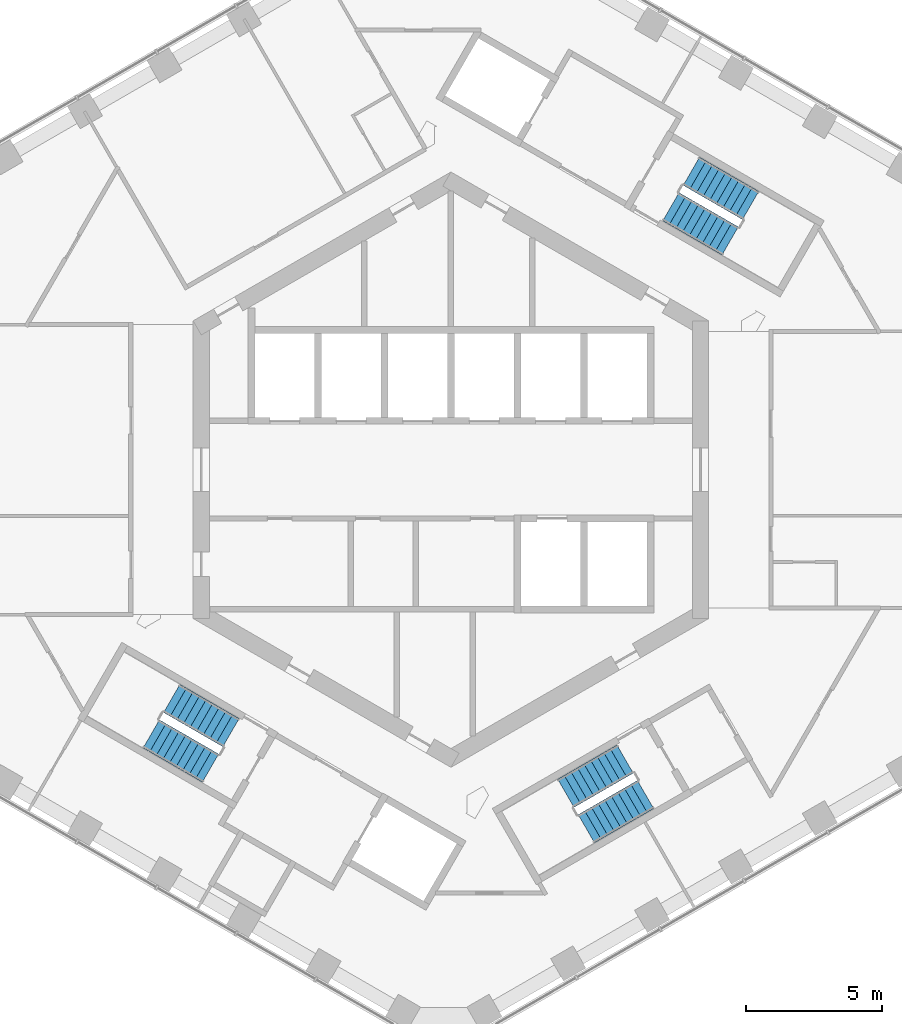
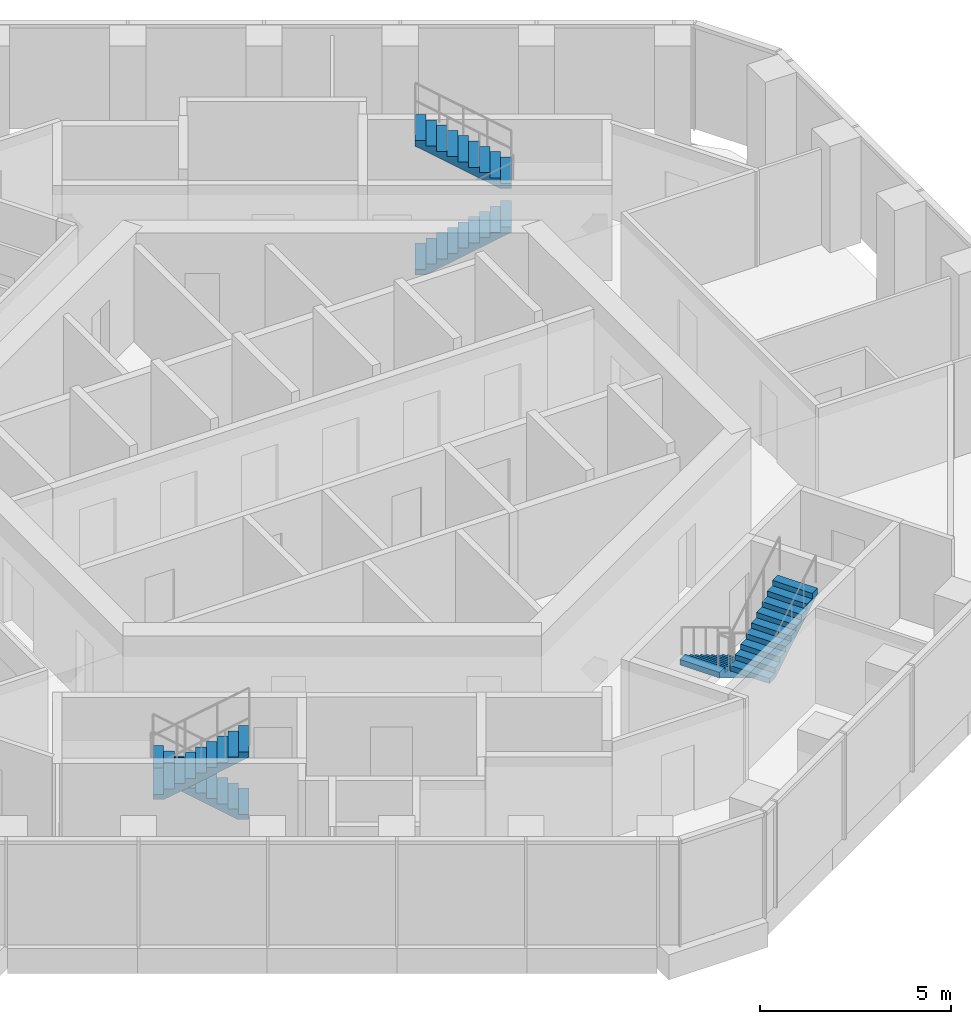
# One storey, part 17 of 18: 6 stair flights, 3 elements without a shape of their own.
"""IFC4 building model written with IfcOpenShell, lengths in metres."""

from ifc_helpers import new_model, si_unit, direction, frame, origin, place, context, subcontext, project, spatial, triangles, material, type_object, element, aggregate, save


model = new_model("IFC4")

# Units and contexts
model_context = context("Model", 3, precision=1e-05, world=origin(), true_north=direction((0.0, 1.0)))
body_context = subcontext(model_context, "Body", "Model", "MODEL_VIEW")
ifc_project = project(units=[si_unit("LENGTHUNIT", "METRE"), si_unit("AREAUNIT", "SQUARE_METRE"), si_unit("VOLUMEUNIT", "CUBIC_METRE"), si_unit("PLANEANGLEUNIT", "RADIAN"), si_unit("MASSUNIT", "GRAM", prefix="KILO")], contexts=[model_context])

# Site, building, storey
site_placement = place(None, origin())
site = spatial("IfcSite", under=ifc_project, at=site_placement, CompositionType="ELEMENT")
building_placement = place(site_placement, origin())
building = spatial("IfcBuilding", under=site, at=building_placement, Name="Ayvan Gate Tower", CompositionType="ELEMENT")
storey_placement = place(building_placement, frame((0.0, 0.0, 166.300048828125)))
storey = spatial("IfcBuildingStorey", under=building, at=storey_placement, Name="L44", CompositionType="ELEMENT", Elevation=166.300048828125)

# Stair, stair flights
ifc_material = material(Name="Concrete C40/50", Category="concrete")
stair_type = type_object("IfcStairType", Name="ST-EXIT", PredefinedType="HALF_TURN_STAIR", material=ifc_material)
stair_1_placement = place(storey_placement, origin())
stair_1 = element("IfcStair", 1, at=stair_1_placement, inside=storey, type_object=stair_type, Name="L44 Exit Stair S1", PredefinedType="HALF_TURN_STAIR")
stair_flight_type = type_object("IfcStairFlightType", Name="SFL-EXIT", PredefinedType="STRAIGHT", material=ifc_material)
stair_flight_1_placement = place(storey_placement, frame((8.106201171875, 9.690185546875, 0.0), z_axis=(0.0, 0.0, 1.0), x_axis=(0.866025403784, -0.5, 0.0)))
stair_flight_1 = element("IfcStairFlight", 2, at=stair_flight_1_placement, type_object=stair_flight_type, Name="STS1 flight 1", NumberOfRisers=10, NumberOfTreads=9, PredefinedType="STRAIGHT", RiserHeight=0.17, TreadLength=0.28, context=body_context, shape_type="Tessellation", body=[
    triangles([(0.288841, -0.599976, 0.0), (2.5205, -0.599976, 1.354936), (2.5205, -0.599976, 1.53), (2.24, -0.599976, 1.53), (2.24, -0.599976, 1.36), (1.96, -0.599976, 1.36), (1.96, -0.599976, 1.19), (1.68, -0.599976, 1.19), (1.68, -0.599976, 1.02), (1.4, -0.599976, 1.02), (1.4, -0.599976, 0.85), (1.12, -0.599976, 0.85), (1.12, -0.599976, 0.68), (0.84, -0.599976, 0.68), (0.84, -0.599976, 0.51), (0.56, -0.599976, 0.51), (0.56, -0.599976, 0.34), (0.28, -0.599976, 0.34), (0.28, -0.599976, 0.17), (-0.0005, -0.599976, 0.17), (-0.0005, -0.599976, 0.0), (0.288841, 0.0, 0.0), (2.5205, 0.0, 1.354936), (2.5205, 0.0, 1.53), (2.24, 0.0, 1.53), (2.24, 0.0, 1.36), (1.96, 0.0, 1.36), (1.96, 0.0, 1.19), (1.68, 0.0, 1.19), (1.68, 0.0, 1.02), (1.4, 0.0, 1.02), (1.4, 0.0, 0.85), (1.12, 0.0, 0.85), (1.12, 0.0, 0.68), (0.84, 0.0, 0.68), (0.84, 0.0, 0.51), (0.56, 0.0, 0.51), (0.56, 0.0, 0.34), (0.28, 0.0, 0.34), (0.28, 0.0, 0.17), (-0.0005, 0.0, 0.17), (-0.0005, 0.0, 0.0), (0.288841, 0.599976, 0.0), (2.5205, 0.599976, 1.354936), (2.5205, 0.599976, 1.53), (2.24, 0.599976, 1.53), (2.24, 0.599976, 1.36), (1.96, 0.599976, 1.36), (1.96, 0.599976, 1.19), (1.68, 0.599976, 1.19), (1.68, 0.599976, 1.02), (1.4, 0.599976, 1.02), (1.4, 0.599976, 0.85), (1.12, 0.599976, 0.85), (1.12, 0.599976, 0.68), (0.84, 0.599976, 0.68), (0.84, 0.599976, 0.51), (0.56, 0.599976, 0.51), (0.56, 0.599976, 0.34), (0.28, 0.599976, 0.34), (0.28, 0.599976, 0.17), (-0.0005, 0.599976, 0.17), (-0.0005, 0.599976, 0.0)], [[21, 1, 2], [63, 44, 43], [2, 3, 4], [44, 46, 45], [2, 4, 5], [44, 47, 46], [2, 5, 6], [44, 48, 47], [2, 6, 7], [44, 49, 48], [7, 8, 9], [49, 51, 50], [2, 7, 9], [44, 51, 49], [9, 10, 11], [51, 53, 52], [2, 9, 11], [44, 53, 51], [11, 12, 13], [53, 55, 54], [2, 11, 13], [44, 55, 53], [13, 14, 15], [55, 57, 56], [2, 13, 15], [44, 57, 55], [15, 16, 17], [57, 59, 58], [2, 15, 17], [44, 59, 57], [17, 18, 19], [59, 61, 60], [2, 17, 19], [44, 61, 59], [21, 2, 19], [63, 61, 44], [19, 20, 21], [61, 63, 62], [1, 22, 23], [1, 23, 2], [43, 23, 22], [43, 44, 23], [2, 23, 24], [2, 24, 3], [44, 24, 23], [44, 45, 24], [3, 24, 25], [3, 25, 4], [45, 25, 24], [45, 46, 25], [4, 25, 26], [4, 26, 5], [46, 26, 25], [46, 47, 26], [5, 26, 27], [5, 27, 6], [47, 27, 26], [47, 48, 27], [6, 27, 28], [6, 28, 7], [48, 28, 27], [48, 49, 28], [7, 28, 29], [7, 29, 8], [49, 29, 28], [49, 50, 29], [8, 29, 30], [8, 30, 9], [50, 30, 29], [50, 51, 30], [9, 30, 31], [9, 31, 10], [51, 31, 30], [51, 52, 31], [10, 31, 32], [10, 32, 11], [52, 32, 31], [52, 53, 32], [11, 32, 33], [11, 33, 12], [53, 33, 32], [53, 54, 33], [12, 33, 34], [12, 34, 13], [54, 34, 33], [54, 55, 34], [13, 34, 35], [13, 35, 14], [55, 35, 34], [55, 56, 35], [14, 35, 36], [14, 36, 15], [56, 36, 35], [56, 57, 36], [15, 36, 37], [15, 37, 16], [57, 37, 36], [57, 58, 37], [16, 37, 38], [16, 38, 17], [58, 38, 37], [58, 59, 38], [17, 38, 39], [17, 39, 18], [59, 39, 38], [59, 60, 39], [18, 39, 40], [18, 40, 19], [60, 40, 39], [60, 61, 40], [19, 40, 41], [19, 41, 20], [61, 41, 40], [61, 62, 41], [20, 41, 42], [20, 42, 21], [62, 42, 41], [62, 63, 42], [21, 42, 22], [21, 22, 1], [63, 22, 42], [63, 43, 22]], closed=True),
])
stair_flight_2_placement = place(storey_placement, frame((11.04345703125, 9.73779296875, 1.699951171875), z_axis=(0.0, 0.0, 1.0), x_axis=(-0.866025403784, 0.5, 0.0)))
stair_flight_2 = element("IfcStairFlight", 3, at=stair_flight_2_placement, type_object=stair_flight_type, Name="STS1 flight 2", NumberOfRisers=10, NumberOfTreads=9, PredefinedType="STRAIGHT", RiserHeight=0.17, TreadLength=0.28, context=body_context, shape_type="Tessellation", body=[
    triangles([(0.288841, -0.599976, 0.0), (2.5205, -0.599976, 1.354936), (2.5205, -0.599976, 1.53), (2.24, -0.599976, 1.53), (2.24, -0.599976, 1.36), (1.96, -0.599976, 1.36), (1.96, -0.599976, 1.19), (1.68, -0.599976, 1.19), (1.68, -0.599976, 1.02), (1.4, -0.599976, 1.02), (1.4, -0.599976, 0.85), (1.12, -0.599976, 0.85), (1.12, -0.599976, 0.68), (0.84, -0.599976, 0.68), (0.84, -0.599976, 0.51), (0.56, -0.599976, 0.51), (0.56, -0.599976, 0.34), (0.28, -0.599976, 0.34), (0.28, -0.599976, 0.17), (-0.0005, -0.599976, 0.17), (-0.0005, -0.599976, 0.0), (0.288841, 0.0, 0.0), (2.5205, 0.0, 1.354936), (2.5205, 0.0, 1.53), (2.24, 0.0, 1.53), (2.24, 0.0, 1.36), (1.96, 0.0, 1.36), (1.96, 0.0, 1.19), (1.68, 0.0, 1.19), (1.68, 0.0, 1.02), (1.4, 0.0, 1.02), (1.4, 0.0, 0.85), (1.12, 0.0, 0.85), (1.12, 0.0, 0.68), (0.84, 0.0, 0.68), (0.84, 0.0, 0.51), (0.56, 0.0, 0.51), (0.56, 0.0, 0.34), (0.28, 0.0, 0.34), (0.28, 0.0, 0.17), (-0.0005, 0.0, 0.17), (-0.0005, 0.0, 0.0), (0.288841, 0.599976, 0.0), (2.5205, 0.599976, 1.354936), (2.5205, 0.599976, 1.53), (2.24, 0.599976, 1.53), (2.24, 0.599976, 1.36), (1.96, 0.599976, 1.36), (1.96, 0.599976, 1.19), (1.68, 0.599976, 1.19), (1.68, 0.599976, 1.02), (1.4, 0.599976, 1.02), (1.4, 0.599976, 0.85), (1.12, 0.599976, 0.85), (1.12, 0.599976, 0.68), (0.84, 0.599976, 0.68), (0.84, 0.599976, 0.51), (0.56, 0.599976, 0.51), (0.56, 0.599976, 0.34), (0.28, 0.599976, 0.34), (0.28, 0.599976, 0.17), (-0.0005, 0.599976, 0.17), (-0.0005, 0.599976, 0.0)], [[21, 1, 2], [63, 44, 43], [2, 3, 4], [44, 46, 45], [2, 4, 5], [44, 47, 46], [2, 5, 6], [44, 48, 47], [2, 6, 7], [44, 49, 48], [7, 8, 9], [49, 51, 50], [2, 7, 9], [44, 51, 49], [9, 10, 11], [51, 53, 52], [2, 9, 11], [44, 53, 51], [11, 12, 13], [53, 55, 54], [2, 11, 13], [44, 55, 53], [13, 14, 15], [55, 57, 56], [2, 13, 15], [44, 57, 55], [15, 16, 17], [57, 59, 58], [2, 15, 17], [44, 59, 57], [17, 18, 19], [59, 61, 60], [2, 17, 19], [44, 61, 59], [21, 2, 19], [63, 61, 44], [19, 20, 21], [61, 63, 62], [1, 22, 23], [1, 23, 2], [43, 23, 22], [43, 44, 23], [2, 23, 24], [2, 24, 3], [44, 24, 23], [44, 45, 24], [3, 24, 25], [3, 25, 4], [45, 25, 24], [45, 46, 25], [4, 25, 26], [4, 26, 5], [46, 26, 25], [46, 47, 26], [5, 26, 27], [5, 27, 6], [47, 27, 26], [47, 48, 27], [6, 27, 28], [6, 28, 7], [48, 28, 27], [48, 49, 28], [7, 28, 29], [7, 29, 8], [49, 29, 28], [49, 50, 29], [8, 29, 30], [8, 30, 9], [50, 30, 29], [50, 51, 30], [9, 30, 31], [9, 31, 10], [51, 31, 30], [51, 52, 31], [10, 31, 32], [10, 32, 11], [52, 32, 31], [52, 53, 32], [11, 32, 33], [11, 33, 12], [53, 33, 32], [53, 54, 33], [12, 33, 34], [12, 34, 13], [54, 34, 33], [54, 55, 34], [13, 34, 35], [13, 35, 14], [55, 35, 34], [55, 56, 35], [14, 35, 36], [14, 36, 15], [56, 36, 35], [56, 57, 36], [15, 36, 37], [15, 37, 16], [57, 37, 36], [57, 58, 37], [16, 37, 38], [16, 38, 17], [58, 38, 37], [58, 59, 38], [17, 38, 39], [17, 39, 18], [59, 39, 38], [59, 60, 39], [18, 39, 40], [18, 40, 19], [60, 40, 39], [60, 61, 40], [19, 40, 41], [19, 41, 20], [61, 41, 40], [61, 62, 41], [20, 41, 42], [20, 42, 21], [62, 42, 41], [62, 63, 42], [21, 42, 22], [21, 22, 1], [63, 22, 42], [63, 43, 22]], closed=True),
])
aggregate(stair_1, [stair_flight_1, stair_flight_2])

stair_2_placement = place(storey_placement, origin())
stair_2 = element("IfcStair", 4, at=stair_2_placement, inside=storey, type_object=stair_type, Name="L44 Exit Stair S2", PredefinedType="HALF_TURN_STAIR")
stair_flight_3_placement = place(storey_placement, frame((-8.106201171875, -9.690185546875, 0.0), z_axis=(0.0, 0.0, 1.0), x_axis=(-0.866025403784, 0.5, 0.0)))
stair_flight_3 = element("IfcStairFlight", 5, at=stair_flight_3_placement, type_object=stair_flight_type, Name="STS2 flight 1", NumberOfRisers=10, NumberOfTreads=9, PredefinedType="STRAIGHT", RiserHeight=0.17, TreadLength=0.28, context=body_context, shape_type="Tessellation", body=[
    triangles([(0.288841, -0.599976, 0.0), (2.5205, -0.599976, 1.354936), (2.5205, -0.599976, 1.53), (2.24, -0.599976, 1.53), (2.24, -0.599976, 1.36), (1.96, -0.599976, 1.36), (1.96, -0.599976, 1.19), (1.68, -0.599976, 1.19), (1.68, -0.599976, 1.02), (1.4, -0.599976, 1.02), (1.4, -0.599976, 0.85), (1.12, -0.599976, 0.85), (1.12, -0.599976, 0.68), (0.84, -0.599976, 0.68), (0.84, -0.599976, 0.51), (0.56, -0.599976, 0.51), (0.56, -0.599976, 0.34), (0.28, -0.599976, 0.34), (0.28, -0.599976, 0.17), (-0.0005, -0.599976, 0.17), (-0.0005, -0.599976, 0.0), (0.288841, 0.0, 0.0), (2.5205, 0.0, 1.354936), (2.5205, 0.0, 1.53), (2.24, 0.0, 1.53), (2.24, 0.0, 1.36), (1.96, 0.0, 1.36), (1.96, 0.0, 1.19), (1.68, 0.0, 1.19), (1.68, 0.0, 1.02), (1.4, 0.0, 1.02), (1.4, 0.0, 0.85), (1.12, 0.0, 0.85), (1.12, 0.0, 0.68), (0.84, 0.0, 0.68), (0.84, 0.0, 0.51), (0.56, 0.0, 0.51), (0.56, 0.0, 0.34), (0.28, 0.0, 0.34), (0.28, 0.0, 0.17), (-0.0005, 0.0, 0.17), (-0.0005, 0.0, 0.0), (0.288841, 0.599976, 0.0), (2.5205, 0.599976, 1.354936), (2.5205, 0.599976, 1.53), (2.24, 0.599976, 1.53), (2.24, 0.599976, 1.36), (1.96, 0.599976, 1.36), (1.96, 0.599976, 1.19), (1.68, 0.599976, 1.19), (1.68, 0.599976, 1.02), (1.4, 0.599976, 1.02), (1.4, 0.599976, 0.85), (1.12, 0.599976, 0.85), (1.12, 0.599976, 0.68), (0.84, 0.599976, 0.68), (0.84, 0.599976, 0.51), (0.56, 0.599976, 0.51), (0.56, 0.599976, 0.34), (0.28, 0.599976, 0.34), (0.28, 0.599976, 0.17), (-0.0005, 0.599976, 0.17), (-0.0005, 0.599976, 0.0)], [[21, 1, 2], [63, 44, 43], [2, 3, 4], [44, 46, 45], [2, 4, 5], [44, 47, 46], [2, 5, 6], [44, 48, 47], [2, 6, 7], [44, 49, 48], [7, 8, 9], [49, 51, 50], [2, 7, 9], [44, 51, 49], [9, 10, 11], [51, 53, 52], [2, 9, 11], [44, 53, 51], [11, 12, 13], [53, 55, 54], [2, 11, 13], [44, 55, 53], [13, 14, 15], [55, 57, 56], [2, 13, 15], [44, 57, 55], [15, 16, 17], [57, 59, 58], [2, 15, 17], [44, 59, 57], [17, 18, 19], [59, 61, 60], [2, 17, 19], [44, 61, 59], [21, 2, 19], [63, 61, 44], [19, 20, 21], [61, 63, 62], [1, 22, 23], [1, 23, 2], [43, 23, 22], [43, 44, 23], [2, 23, 24], [2, 24, 3], [44, 24, 23], [44, 45, 24], [3, 24, 25], [3, 25, 4], [45, 25, 24], [45, 46, 25], [4, 25, 26], [4, 26, 5], [46, 26, 25], [46, 47, 26], [5, 26, 27], [5, 27, 6], [47, 27, 26], [47, 48, 27], [6, 27, 28], [6, 28, 7], [48, 28, 27], [48, 49, 28], [7, 28, 29], [7, 29, 8], [49, 29, 28], [49, 50, 29], [8, 29, 30], [8, 30, 9], [50, 30, 29], [50, 51, 30], [9, 30, 31], [9, 31, 10], [51, 31, 30], [51, 52, 31], [10, 31, 32], [10, 32, 11], [52, 32, 31], [52, 53, 32], [11, 32, 33], [11, 33, 12], [53, 33, 32], [53, 54, 33], [12, 33, 34], [12, 34, 13], [54, 34, 33], [54, 55, 34], [13, 34, 35], [13, 35, 14], [55, 35, 34], [55, 56, 35], [14, 35, 36], [14, 36, 15], [56, 36, 35], [56, 57, 36], [15, 36, 37], [15, 37, 16], [57, 37, 36], [57, 58, 37], [16, 37, 38], [16, 38, 17], [58, 38, 37], [58, 59, 38], [17, 38, 39], [17, 39, 18], [59, 39, 38], [59, 60, 39], [18, 39, 40], [18, 40, 19], [60, 40, 39], [60, 61, 40], [19, 40, 41], [19, 41, 20], [61, 41, 40], [61, 62, 41], [20, 41, 42], [20, 42, 21], [62, 42, 41], [62, 63, 42], [21, 42, 22], [21, 22, 1], [63, 22, 42], [63, 43, 22]], closed=True),
])
stair_flight_4_placement = place(storey_placement, frame((-11.04345703125, -9.73779296875, 1.699951171875), z_axis=(0.0, 0.0, 1.0), x_axis=(0.866025403784, -0.5, 0.0)))
stair_flight_4 = element("IfcStairFlight", 6, at=stair_flight_4_placement, type_object=stair_flight_type, Name="STS2 flight 2", NumberOfRisers=10, NumberOfTreads=9, PredefinedType="STRAIGHT", RiserHeight=0.17, TreadLength=0.28, context=body_context, shape_type="Tessellation", body=[
    triangles([(0.288841, -0.599976, 0.0), (2.5205, -0.599976, 1.354936), (2.5205, -0.599976, 1.53), (2.24, -0.599976, 1.53), (2.24, -0.599976, 1.36), (1.96, -0.599976, 1.36), (1.96, -0.599976, 1.19), (1.68, -0.599976, 1.19), (1.68, -0.599976, 1.02), (1.4, -0.599976, 1.02), (1.4, -0.599976, 0.85), (1.12, -0.599976, 0.85), (1.12, -0.599976, 0.68), (0.84, -0.599976, 0.68), (0.84, -0.599976, 0.51), (0.56, -0.599976, 0.51), (0.56, -0.599976, 0.34), (0.28, -0.599976, 0.34), (0.28, -0.599976, 0.17), (-0.0005, -0.599976, 0.17), (-0.0005, -0.599976, 0.0), (0.288841, 0.0, 0.0), (2.5205, 0.0, 1.354936), (2.5205, 0.0, 1.53), (2.24, 0.0, 1.53), (2.24, 0.0, 1.36), (1.96, 0.0, 1.36), (1.96, 0.0, 1.19), (1.68, 0.0, 1.19), (1.68, 0.0, 1.02), (1.4, 0.0, 1.02), (1.4, 0.0, 0.85), (1.12, 0.0, 0.85), (1.12, 0.0, 0.68), (0.84, 0.0, 0.68), (0.84, 0.0, 0.51), (0.56, 0.0, 0.51), (0.56, 0.0, 0.34), (0.28, 0.0, 0.34), (0.28, 0.0, 0.17), (-0.0005, 0.0, 0.17), (-0.0005, 0.0, 0.0), (0.288841, 0.599976, 0.0), (2.5205, 0.599976, 1.354936), (2.5205, 0.599976, 1.53), (2.24, 0.599976, 1.53), (2.24, 0.599976, 1.36), (1.96, 0.599976, 1.36), (1.96, 0.599976, 1.19), (1.68, 0.599976, 1.19), (1.68, 0.599976, 1.02), (1.4, 0.599976, 1.02), (1.4, 0.599976, 0.85), (1.12, 0.599976, 0.85), (1.12, 0.599976, 0.68), (0.84, 0.599976, 0.68), (0.84, 0.599976, 0.51), (0.56, 0.599976, 0.51), (0.56, 0.599976, 0.34), (0.28, 0.599976, 0.34), (0.28, 0.599976, 0.17), (-0.0005, 0.599976, 0.17), (-0.0005, 0.599976, 0.0)], [[21, 1, 2], [63, 44, 43], [2, 3, 4], [44, 46, 45], [2, 4, 5], [44, 47, 46], [2, 5, 6], [44, 48, 47], [2, 6, 7], [44, 49, 48], [7, 8, 9], [49, 51, 50], [2, 7, 9], [44, 51, 49], [9, 10, 11], [51, 53, 52], [2, 9, 11], [44, 53, 51], [11, 12, 13], [53, 55, 54], [2, 11, 13], [44, 55, 53], [13, 14, 15], [55, 57, 56], [2, 13, 15], [44, 57, 55], [15, 16, 17], [57, 59, 58], [2, 15, 17], [44, 59, 57], [17, 18, 19], [59, 61, 60], [2, 17, 19], [44, 61, 59], [21, 2, 19], [63, 61, 44], [19, 20, 21], [61, 63, 62], [1, 22, 23], [1, 23, 2], [43, 23, 22], [43, 44, 23], [2, 23, 24], [2, 24, 3], [44, 24, 23], [44, 45, 24], [3, 24, 25], [3, 25, 4], [45, 25, 24], [45, 46, 25], [4, 25, 26], [4, 26, 5], [46, 26, 25], [46, 47, 26], [5, 26, 27], [5, 27, 6], [47, 27, 26], [47, 48, 27], [6, 27, 28], [6, 28, 7], [48, 28, 27], [48, 49, 28], [7, 28, 29], [7, 29, 8], [49, 29, 28], [49, 50, 29], [8, 29, 30], [8, 30, 9], [50, 30, 29], [50, 51, 30], [9, 30, 31], [9, 31, 10], [51, 31, 30], [51, 52, 31], [10, 31, 32], [10, 32, 11], [52, 32, 31], [52, 53, 32], [11, 32, 33], [11, 33, 12], [53, 33, 32], [53, 54, 33], [12, 33, 34], [12, 34, 13], [54, 34, 33], [54, 55, 34], [13, 34, 35], [13, 35, 14], [55, 35, 34], [55, 56, 35], [14, 35, 36], [14, 36, 15], [56, 36, 35], [56, 57, 36], [15, 36, 37], [15, 37, 16], [57, 37, 36], [57, 58, 37], [16, 37, 38], [16, 38, 17], [58, 38, 37], [58, 59, 38], [17, 38, 39], [17, 39, 18], [59, 39, 38], [59, 60, 39], [18, 39, 40], [18, 40, 19], [60, 40, 39], [60, 61, 40], [19, 40, 41], [19, 41, 20], [61, 41, 40], [61, 62, 41], [20, 41, 42], [20, 42, 21], [62, 42, 41], [62, 63, 42], [21, 42, 22], [21, 22, 1], [63, 22, 42], [63, 43, 22]], closed=True),
])
aggregate(stair_2, [stair_flight_3, stair_flight_4])

stair_3_placement = place(storey_placement, origin())
stair_3 = element("IfcStair", 7, at=stair_3_placement, inside=storey, type_object=stair_type, Name="L44 Exit Stair S3", PredefinedType="HALF_TURN_STAIR")
stair_flight_5_placement = place(storey_placement, frame((6.417236328125, -10.665283203125, 0.0), z_axis=(0.0, 0.0, 1.0), x_axis=(-0.866025403784, -0.5, 0.0)))
stair_flight_5 = element("IfcStairFlight", 8, at=stair_flight_5_placement, type_object=stair_flight_type, Name="STS3 flight 1", NumberOfRisers=10, NumberOfTreads=9, PredefinedType="STRAIGHT", RiserHeight=0.17, TreadLength=0.28, context=body_context, shape_type="Tessellation", body=[
    triangles([(0.288841, -0.599976, 0.0), (2.5205, -0.599976, 1.354936), (2.5205, -0.599976, 1.53), (2.24, -0.599976, 1.53), (2.24, -0.599976, 1.36), (1.96, -0.599976, 1.36), (1.96, -0.599976, 1.19), (1.68, -0.599976, 1.19), (1.68, -0.599976, 1.02), (1.4, -0.599976, 1.02), (1.4, -0.599976, 0.85), (1.12, -0.599976, 0.85), (1.12, -0.599976, 0.68), (0.84, -0.599976, 0.68), (0.84, -0.599976, 0.51), (0.56, -0.599976, 0.51), (0.56, -0.599976, 0.34), (0.28, -0.599976, 0.34), (0.28, -0.599976, 0.17), (-0.0005, -0.599976, 0.17), (-0.0005, -0.599976, 0.0), (0.288841, 0.0, 0.0), (2.5205, 0.0, 1.354936), (2.5205, 0.0, 1.53), (2.24, 0.0, 1.53), (2.24, 0.0, 1.36), (1.96, 0.0, 1.36), (1.96, 0.0, 1.19), (1.68, 0.0, 1.19), (1.68, 0.0, 1.02), (1.4, 0.0, 1.02), (1.4, 0.0, 0.85), (1.12, 0.0, 0.85), (1.12, 0.0, 0.68), (0.84, 0.0, 0.68), (0.84, 0.0, 0.51), (0.56, 0.0, 0.51), (0.56, 0.0, 0.34), (0.28, 0.0, 0.34), (0.28, 0.0, 0.17), (-0.0005, 0.0, 0.17), (-0.0005, 0.0, 0.0), (0.288841, 0.599976, 0.0), (2.5205, 0.599976, 1.354936), (2.5205, 0.599976, 1.53), (2.24, 0.599976, 1.53), (2.24, 0.599976, 1.36), (1.96, 0.599976, 1.36), (1.96, 0.599976, 1.19), (1.68, 0.599976, 1.19), (1.68, 0.599976, 1.02), (1.4, 0.599976, 1.02), (1.4, 0.599976, 0.85), (1.12, 0.599976, 0.85), (1.12, 0.599976, 0.68), (0.84, 0.599976, 0.68), (0.84, 0.599976, 0.51), (0.56, 0.599976, 0.51), (0.56, 0.599976, 0.34), (0.28, 0.599976, 0.34), (0.28, 0.599976, 0.17), (-0.0005, 0.599976, 0.17), (-0.0005, 0.599976, 0.0)], [[21, 1, 2], [63, 44, 43], [2, 3, 4], [44, 46, 45], [2, 4, 5], [44, 47, 46], [2, 5, 6], [44, 48, 47], [2, 6, 7], [44, 49, 48], [7, 8, 9], [49, 51, 50], [2, 7, 9], [44, 51, 49], [9, 10, 11], [51, 53, 52], [2, 9, 11], [44, 53, 51], [11, 12, 13], [53, 55, 54], [2, 11, 13], [44, 55, 53], [13, 14, 15], [55, 57, 56], [2, 13, 15], [44, 57, 55], [15, 16, 17], [57, 59, 58], [2, 15, 17], [44, 59, 57], [17, 18, 19], [59, 61, 60], [2, 17, 19], [44, 61, 59], [21, 2, 19], [63, 61, 44], [19, 20, 21], [61, 63, 62], [1, 22, 23], [1, 23, 2], [43, 23, 22], [43, 44, 23], [2, 23, 24], [2, 24, 3], [44, 24, 23], [44, 45, 24], [3, 24, 25], [3, 25, 4], [45, 25, 24], [45, 46, 25], [4, 25, 26], [4, 26, 5], [46, 26, 25], [46, 47, 26], [5, 26, 27], [5, 27, 6], [47, 27, 26], [47, 48, 27], [6, 27, 28], [6, 28, 7], [48, 28, 27], [48, 49, 28], [7, 28, 29], [7, 29, 8], [49, 29, 28], [49, 50, 29], [8, 29, 30], [8, 30, 9], [50, 30, 29], [50, 51, 30], [9, 30, 31], [9, 31, 10], [51, 31, 30], [51, 52, 31], [10, 31, 32], [10, 32, 11], [52, 32, 31], [52, 53, 32], [11, 32, 33], [11, 33, 12], [53, 33, 32], [53, 54, 33], [12, 33, 34], [12, 34, 13], [54, 34, 33], [54, 55, 34], [13, 34, 35], [13, 35, 14], [55, 35, 34], [55, 56, 35], [14, 35, 36], [14, 36, 15], [56, 36, 35], [56, 57, 36], [15, 36, 37], [15, 37, 16], [57, 37, 36], [57, 58, 37], [16, 37, 38], [16, 38, 17], [58, 38, 37], [58, 59, 38], [17, 38, 39], [17, 39, 18], [59, 39, 38], [59, 60, 39], [18, 39, 40], [18, 40, 19], [60, 40, 39], [60, 61, 40], [19, 40, 41], [19, 41, 20], [61, 41, 40], [61, 62, 41], [20, 41, 42], [20, 42, 21], [62, 42, 41], [62, 63, 42], [21, 42, 22], [21, 22, 1], [63, 22, 42], [63, 43, 22]], closed=True),
])
stair_flight_6_placement = place(storey_placement, frame((4.989990234375, -13.23291015625, 1.699951171875), z_axis=(0.0, 0.0, 1.0), x_axis=(0.866025403784, 0.5, 0.0)))
stair_flight_6 = element("IfcStairFlight", 9, at=stair_flight_6_placement, type_object=stair_flight_type, Name="STS3 flight 2", NumberOfRisers=10, NumberOfTreads=9, PredefinedType="STRAIGHT", RiserHeight=0.17, TreadLength=0.28, context=body_context, shape_type="Tessellation", body=[
    triangles([(0.288841, -0.599976, 0.0), (2.5205, -0.599976, 1.354936), (2.5205, -0.599976, 1.53), (2.24, -0.599976, 1.53), (2.24, -0.599976, 1.36), (1.96, -0.599976, 1.36), (1.96, -0.599976, 1.19), (1.68, -0.599976, 1.19), (1.68, -0.599976, 1.02), (1.4, -0.599976, 1.02), (1.4, -0.599976, 0.85), (1.12, -0.599976, 0.85), (1.12, -0.599976, 0.68), (0.84, -0.599976, 0.68), (0.84, -0.599976, 0.51), (0.56, -0.599976, 0.51), (0.56, -0.599976, 0.34), (0.28, -0.599976, 0.34), (0.28, -0.599976, 0.17), (-0.0005, -0.599976, 0.17), (-0.0005, -0.599976, 0.0), (0.288841, 0.0, 0.0), (2.5205, 0.0, 1.354936), (2.5205, 0.0, 1.53), (2.24, 0.0, 1.53), (2.24, 0.0, 1.36), (1.96, 0.0, 1.36), (1.96, 0.0, 1.19), (1.68, 0.0, 1.19), (1.68, 0.0, 1.02), (1.4, 0.0, 1.02), (1.4, 0.0, 0.85), (1.12, 0.0, 0.85), (1.12, 0.0, 0.68), (0.84, 0.0, 0.68), (0.84, 0.0, 0.51), (0.56, 0.0, 0.51), (0.56, 0.0, 0.34), (0.28, 0.0, 0.34), (0.28, 0.0, 0.17), (-0.0005, 0.0, 0.17), (-0.0005, 0.0, 0.0), (0.288841, 0.599976, 0.0), (2.5205, 0.599976, 1.354936), (2.5205, 0.599976, 1.53), (2.24, 0.599976, 1.53), (2.24, 0.599976, 1.36), (1.96, 0.599976, 1.36), (1.96, 0.599976, 1.19), (1.68, 0.599976, 1.19), (1.68, 0.599976, 1.02), (1.4, 0.599976, 1.02), (1.4, 0.599976, 0.85), (1.12, 0.599976, 0.85), (1.12, 0.599976, 0.68), (0.84, 0.599976, 0.68), (0.84, 0.599976, 0.51), (0.56, 0.599976, 0.51), (0.56, 0.599976, 0.34), (0.28, 0.599976, 0.34), (0.28, 0.599976, 0.17), (-0.0005, 0.599976, 0.17), (-0.0005, 0.599976, 0.0)], [[21, 1, 2], [63, 44, 43], [2, 3, 4], [44, 46, 45], [2, 4, 5], [44, 47, 46], [2, 5, 6], [44, 48, 47], [2, 6, 7], [44, 49, 48], [7, 8, 9], [49, 51, 50], [2, 7, 9], [44, 51, 49], [9, 10, 11], [51, 53, 52], [2, 9, 11], [44, 53, 51], [11, 12, 13], [53, 55, 54], [2, 11, 13], [44, 55, 53], [13, 14, 15], [55, 57, 56], [2, 13, 15], [44, 57, 55], [15, 16, 17], [57, 59, 58], [2, 15, 17], [44, 59, 57], [17, 18, 19], [59, 61, 60], [2, 17, 19], [44, 61, 59], [21, 2, 19], [63, 61, 44], [19, 20, 21], [61, 63, 62], [1, 22, 23], [1, 23, 2], [43, 23, 22], [43, 44, 23], [2, 23, 24], [2, 24, 3], [44, 24, 23], [44, 45, 24], [3, 24, 25], [3, 25, 4], [45, 25, 24], [45, 46, 25], [4, 25, 26], [4, 26, 5], [46, 26, 25], [46, 47, 26], [5, 26, 27], [5, 27, 6], [47, 27, 26], [47, 48, 27], [6, 27, 28], [6, 28, 7], [48, 28, 27], [48, 49, 28], [7, 28, 29], [7, 29, 8], [49, 29, 28], [49, 50, 29], [8, 29, 30], [8, 30, 9], [50, 30, 29], [50, 51, 30], [9, 30, 31], [9, 31, 10], [51, 31, 30], [51, 52, 31], [10, 31, 32], [10, 32, 11], [52, 32, 31], [52, 53, 32], [11, 32, 33], [11, 33, 12], [53, 33, 32], [53, 54, 33], [12, 33, 34], [12, 34, 13], [54, 34, 33], [54, 55, 34], [13, 34, 35], [13, 35, 14], [55, 35, 34], [55, 56, 35], [14, 35, 36], [14, 36, 15], [56, 36, 35], [56, 57, 36], [15, 36, 37], [15, 37, 16], [57, 37, 36], [57, 58, 37], [16, 37, 38], [16, 38, 17], [58, 38, 37], [58, 59, 38], [17, 38, 39], [17, 39, 18], [59, 39, 38], [59, 60, 39], [18, 39, 40], [18, 40, 19], [60, 40, 39], [60, 61, 40], [19, 40, 41], [19, 41, 20], [61, 41, 40], [61, 62, 41], [20, 41, 42], [20, 42, 21], [62, 42, 41], [62, 63, 42], [21, 42, 22], [21, 22, 1], [63, 22, 42], [63, 43, 22]], closed=True),
])
aggregate(stair_3, [stair_flight_5, stair_flight_6])

save(model, "model.ifc")
